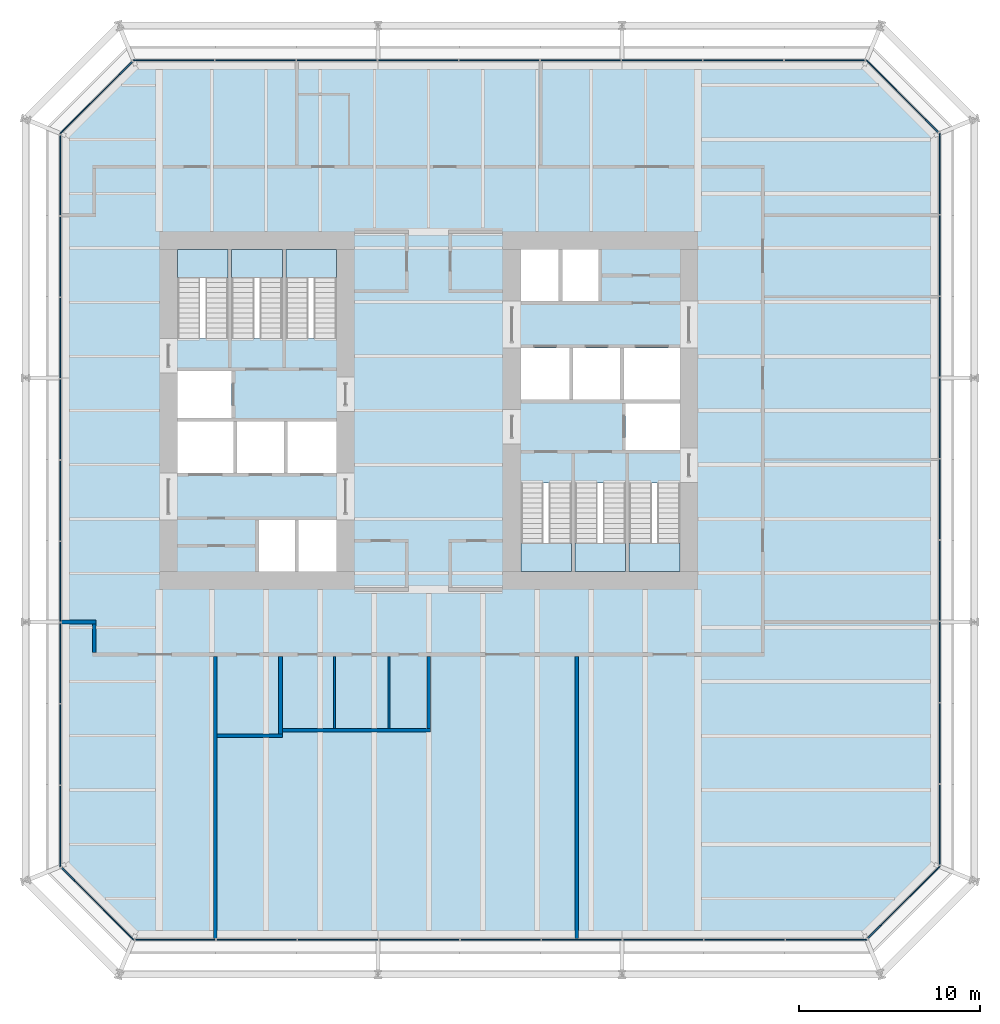
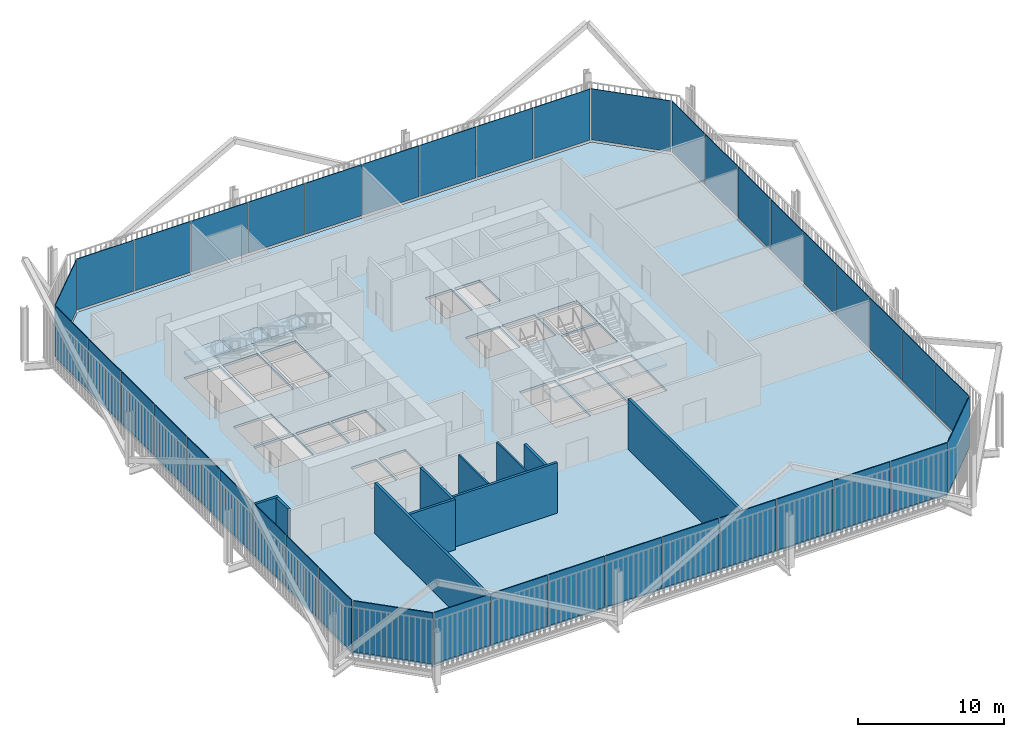
# One storey, part 16 of 21: 40 plates, 10 walls, 7 slabs, 14 elements without a shape of their own.
"""IFC4 building model written with IfcOpenShell, lengths in metres."""

from ifc_helpers import new_model, si_unit, direction, frame, frame_2d, origin, place, context, subcontext, project, spatial, polyline, rectangle, outline, extrude, material, layer, layer_set, type_object, element, aggregate, save


model = new_model("IFC4")

# Units and contexts
model_context = context("Model", 3, precision=1e-05, world=origin(), true_north=direction((0.0, 1.0)))
body_context = subcontext(model_context, "Body", "Model", "MODEL_VIEW")
ifc_project = project(units=[si_unit("LENGTHUNIT", "METRE"), si_unit("AREAUNIT", "SQUARE_METRE"), si_unit("VOLUMEUNIT", "CUBIC_METRE"), si_unit("PLANEANGLEUNIT", "RADIAN"), si_unit("MASSUNIT", "GRAM", prefix="KILO")], contexts=[model_context])

# Site, building, storey
site_placement = place(None, origin())
site = spatial("IfcSite", under=ifc_project, at=site_placement, CompositionType="ELEMENT")
building_placement = place(site_placement, origin())
building = spatial("IfcBuilding", under=site, at=building_placement, Name="Millrace Tower", CompositionType="ELEMENT")
storey_placement = place(building_placement, frame((0.0, 0.0, 95.199951171875)))
storey = spatial("IfcBuildingStorey", under=building, at=storey_placement, Name="L21", CompositionType="ELEMENT", Elevation=95.199951171875)

# Curtain wall, plate
ifc_material_1 = material(Name="Aluminium and glass", Category="aluminium")
ifc_layer_1 = layer(ifc_material_1, 0.14990234375)
ifc_layer_set_1 = layer_set([ifc_layer_1], Name="Aluminium and glass")
curtain_wall_type = type_object("IfcCurtainWallType", Name="CW-3 telecom floor curtain wall", PredefinedType="NOTDEFINED", material=ifc_layer_set_1)
placement_1 = place(storey_placement, origin())
curtain_wall_1 = element("IfcCurtainWall", 1, at=placement_1, inside=storey, type_object=curtain_wall_type, Name="Curtain wall B-F01 L21", PredefinedType="NOTDEFINED")
ifc_material_2 = material(Name="Glass", Category="glass")
ifc_layer_2 = layer(ifc_material_2, 0.06005859375)
ifc_layer_set_2 = layer_set([ifc_layer_2], Name="Glass")
plate_type = type_object("IfcPlateType", Name="CW-3 telecom floor curtain wall triple-glazed panel with spandrel", PredefinedType="CURTAIN_PANEL", material=ifc_layer_set_2)
placement_2 = place(storey_placement, frame((0.0, 0.0, 0.150146484375)))
plate_1 = element("IfcPlate", 2, at=placement_2, type_object=plate_type, Name="CW3 panel B-F01.1", PredefinedType="CURTAIN_PANEL", context=body_context, shape_type="SweptSolid", body=[
    extrude(outline(polyline([(-20.328369140625, -25.3203125), (-16.343505859375, -29.304931640625), (-16.318603515625, -29.2451171875), (-20.285888671875, -25.27783203125), (-20.328369140625, -25.3203125)])), origin(), (0.0, 0.0, 1.0), 4.25),
])
aggregate(curtain_wall_1, [plate_1])

# Curtain wall, plates
curtain_wall_2 = element("IfcCurtainWall", 3, at=placement_1, inside=storey, type_object=curtain_wall_type, Name="Curtain wall B-F02 L21", PredefinedType="NOTDEFINED")
plate_2 = element("IfcPlate", 4, at=placement_2, type_object=plate_type, Name="CW3 panel B-F02.1", PredefinedType="CURTAIN_PANEL", context=body_context, shape_type="SweptSolid", body=[
    extrude(outline(polyline([(-16.235107421875, -29.304931640625), (-11.800048828125, -29.304931640625), (-11.800048828125, -29.2451171875), (-16.235107421875, -29.2451171875), (-16.235107421875, -29.304931640625)])), origin(), (0.0, 0.0, 1.0), 4.25),
])
plate_3 = element("IfcPlate", 5, at=placement_2, type_object=plate_type, Name="CW3 panel B-F02.2", PredefinedType="CURTAIN_PANEL", context=body_context, shape_type="SweptSolid", body=[
    extrude(outline(polyline([(-11.735107421875, -29.304931640625), (-7.300048828125, -29.304931640625), (-7.300048828125, -29.2451171875), (-11.735107421875, -29.2451171875), (-11.735107421875, -29.304931640625)])), origin(), (0.0, 0.0, 1.0), 4.25),
])
plate_4 = element("IfcPlate", 6, at=placement_2, type_object=plate_type, Name="CW3 panel B-F02.3", PredefinedType="CURTAIN_PANEL", context=body_context, shape_type="SweptSolid", body=[
    extrude(outline(polyline([(-7.235107421875, -29.304931640625), (-2.800048828125, -29.304931640625), (-2.800048828125, -29.2451171875), (-7.235107421875, -29.2451171875), (-7.235107421875, -29.304931640625)])), origin(), (0.0, 0.0, 1.0), 4.25),
])
plate_5 = element("IfcPlate", 7, at=placement_2, type_object=plate_type, Name="CW3 panel B-F02.4", PredefinedType="CURTAIN_PANEL", context=body_context, shape_type="SweptSolid", body=[
    extrude(outline(polyline([(-2.735107421875, -29.304931640625), (1.699951171875, -29.304931640625), (1.699951171875, -29.2451171875), (-2.735107421875, -29.2451171875), (-2.735107421875, -29.304931640625)])), origin(), (0.0, 0.0, 1.0), 4.25),
])
plate_6 = element("IfcPlate", 8, at=placement_2, type_object=plate_type, Name="CW3 panel B-F02.5", PredefinedType="CURTAIN_PANEL", context=body_context, shape_type="SweptSolid", body=[
    extrude(outline(polyline([(1.764892578125, -29.304931640625), (6.199951171875, -29.304931640625), (6.199951171875, -29.2451171875), (1.764892578125, -29.2451171875), (1.764892578125, -29.304931640625)])), origin(), (0.0, 0.0, 1.0), 4.25),
])
plate_7 = element("IfcPlate", 9, at=placement_2, type_object=plate_type, Name="CW3 panel B-F02.6", PredefinedType="CURTAIN_PANEL", context=body_context, shape_type="SweptSolid", body=[
    extrude(outline(polyline([(6.264892578125, -29.304931640625), (10.699951171875, -29.304931640625), (10.699951171875, -29.2451171875), (6.264892578125, -29.2451171875), (6.264892578125, -29.304931640625)])), origin(), (0.0, 0.0, 1.0), 4.25),
])
plate_8 = element("IfcPlate", 10, at=placement_2, type_object=plate_type, Name="CW3 panel B-F02.7", PredefinedType="CURTAIN_PANEL", context=body_context, shape_type="SweptSolid", body=[
    extrude(outline(polyline([(10.764892578125, -29.304931640625), (15.199951171875, -29.304931640625), (15.199951171875, -29.2451171875), (10.764892578125, -29.2451171875), (10.764892578125, -29.304931640625)])), origin(), (0.0, 0.0, 1.0), 4.25),
])
plate_9 = element("IfcPlate", 11, at=placement_2, type_object=plate_type, Name="CW3 panel B-F02.8", PredefinedType="CURTAIN_PANEL", context=body_context, shape_type="SweptSolid", body=[
    extrude(outline(polyline([(15.264892578125, -29.304931640625), (19.699951171875, -29.304931640625), (19.699951171875, -29.2451171875), (15.264892578125, -29.2451171875), (15.264892578125, -29.304931640625)])), origin(), (0.0, 0.0, 1.0), 4.25),
])
plate_10 = element("IfcPlate", 12, at=placement_2, type_object=plate_type, Name="CW3 panel B-F02.9", PredefinedType="CURTAIN_PANEL", context=body_context, shape_type="SweptSolid", body=[
    extrude(outline(polyline([(19.764892578125, -29.304931640625), (24.243408203125, -29.304931640625), (24.21875, -29.2451171875), (19.764892578125, -29.2451171875), (19.764892578125, -29.304931640625)])), origin(), (0.0, 0.0, 1.0), 4.25),
])
aggregate(curtain_wall_2, [plate_2, plate_3, plate_4, plate_5, plate_6, plate_7, plate_8, plate_9, plate_10])

# Curtain wall, plate
curtain_wall_3 = element("IfcCurtainWall", 13, at=placement_1, inside=storey, type_object=curtain_wall_type, Name="Curtain wall B-F03 L21", PredefinedType="NOTDEFINED")
plate_11 = element("IfcPlate", 14, at=placement_2, type_object=plate_type, Name="CW3 panel B-F03.1", PredefinedType="CURTAIN_PANEL", context=body_context, shape_type="SweptSolid", body=[
    extrude(outline(polyline([(24.3203125, -29.228271484375), (28.304931640625, -25.243408203125), (28.2451171875, -25.21875), (24.27783203125, -29.185791015625), (24.3203125, -29.228271484375)])), origin(), (0.0, 0.0, 1.0), 4.25),
])
aggregate(curtain_wall_3, [plate_11])

# Curtain wall, plates
curtain_wall_4 = element("IfcCurtainWall", 15, at=placement_1, inside=storey, type_object=curtain_wall_type, Name="Curtain wall B-F04 L21", PredefinedType="NOTDEFINED")
plate_12 = element("IfcPlate", 16, at=placement_2, type_object=plate_type, Name="CW3 panel B-F04.1", PredefinedType="CURTAIN_PANEL", context=body_context, shape_type="SweptSolid", body=[
    extrude(outline(polyline([(28.304931640625, -25.135009765625), (28.304931640625, -20.699951171875), (28.2451171875, -20.699951171875), (28.2451171875, -25.135009765625), (28.304931640625, -25.135009765625)])), origin(), (0.0, 0.0, 1.0), 4.25),
])
plate_13 = element("IfcPlate", 17, at=placement_2, type_object=plate_type, Name="CW3 panel B-F04.2", PredefinedType="CURTAIN_PANEL", context=body_context, shape_type="SweptSolid", body=[
    extrude(outline(polyline([(28.304931640625, -20.635009765625), (28.304931640625, -16.199951171875), (28.2451171875, -16.199951171875), (28.2451171875, -20.635009765625), (28.304931640625, -20.635009765625)])), origin(), (0.0, 0.0, 1.0), 4.25),
])
plate_14 = element("IfcPlate", 18, at=placement_2, type_object=plate_type, Name="CW3 panel B-F04.3", PredefinedType="CURTAIN_PANEL", context=body_context, shape_type="SweptSolid", body=[
    extrude(outline(polyline([(28.304931640625, -16.135009765625), (28.304931640625, -11.699951171875), (28.2451171875, -11.699951171875), (28.2451171875, -16.135009765625), (28.304931640625, -16.135009765625)])), origin(), (0.0, 0.0, 1.0), 4.25),
])
plate_15 = element("IfcPlate", 19, at=placement_2, type_object=plate_type, Name="CW3 panel B-F04.4", PredefinedType="CURTAIN_PANEL", context=body_context, shape_type="SweptSolid", body=[
    extrude(outline(polyline([(28.304931640625, -11.635009765625), (28.304931640625, -7.199951171875), (28.2451171875, -7.199951171875), (28.2451171875, -11.635009765625), (28.304931640625, -11.635009765625)])), origin(), (0.0, 0.0, 1.0), 4.25),
])
plate_16 = element("IfcPlate", 20, at=placement_2, type_object=plate_type, Name="CW3 panel B-F04.5", PredefinedType="CURTAIN_PANEL", context=body_context, shape_type="SweptSolid", body=[
    extrude(outline(polyline([(28.304931640625, -7.135009765625), (28.304931640625, -2.699951171875), (28.2451171875, -2.699951171875), (28.2451171875, -7.135009765625), (28.304931640625, -7.135009765625)])), origin(), (0.0, 0.0, 1.0), 4.25),
])
plate_17 = element("IfcPlate", 21, at=placement_2, type_object=plate_type, Name="CW3 panel B-F04.6", PredefinedType="CURTAIN_PANEL", context=body_context, shape_type="SweptSolid", body=[
    extrude(outline(polyline([(28.304931640625, -2.635009765625), (28.304931640625, 1.800048828125), (28.2451171875, 1.800048828125), (28.2451171875, -2.635009765625), (28.304931640625, -2.635009765625)])), origin(), (0.0, 0.0, 1.0), 4.25),
])
plate_18 = element("IfcPlate", 22, at=placement_2, type_object=plate_type, Name="CW3 panel B-F04.7", PredefinedType="CURTAIN_PANEL", context=body_context, shape_type="SweptSolid", body=[
    extrude(outline(polyline([(28.304931640625, 1.864990234375), (28.304931640625, 6.300048828125), (28.2451171875, 6.300048828125), (28.2451171875, 1.864990234375), (28.304931640625, 1.864990234375)])), origin(), (0.0, 0.0, 1.0), 4.25),
])
plate_19 = element("IfcPlate", 23, at=placement_2, type_object=plate_type, Name="CW3 panel B-F04.8", PredefinedType="CURTAIN_PANEL", context=body_context, shape_type="SweptSolid", body=[
    extrude(outline(polyline([(28.304931640625, 6.364990234375), (28.304931640625, 10.800048828125), (28.2451171875, 10.800048828125), (28.2451171875, 6.364990234375), (28.304931640625, 6.364990234375)])), origin(), (0.0, 0.0, 1.0), 4.25),
])
plate_20 = element("IfcPlate", 24, at=placement_2, type_object=plate_type, Name="CW3 panel B-F04.9", PredefinedType="CURTAIN_PANEL", context=body_context, shape_type="SweptSolid", body=[
    extrude(outline(polyline([(28.304931640625, 10.864990234375), (28.304931640625, 15.343505859375), (28.2451171875, 15.318603515625), (28.2451171875, 10.864990234375), (28.304931640625, 10.864990234375)])), origin(), (0.0, 0.0, 1.0), 4.25),
])
aggregate(curtain_wall_4, [plate_12, plate_13, plate_14, plate_15, plate_16, plate_17, plate_18, plate_19, plate_20])

# Curtain wall, plate
curtain_wall_5 = element("IfcCurtainWall", 25, at=placement_1, inside=storey, type_object=curtain_wall_type, Name="Curtain wall B-F05 L21", PredefinedType="NOTDEFINED")
plate_21 = element("IfcPlate", 26, at=placement_2, type_object=plate_type, Name="CW3 panel B-F05.1", PredefinedType="CURTAIN_PANEL", context=body_context, shape_type="SweptSolid", body=[
    extrude(outline(polyline([(28.228271484375, 15.420166015625), (24.243408203125, 19.405029296875), (24.21875, 19.344970703125), (28.185791015625, 15.377685546875), (28.228271484375, 15.420166015625)])), origin(), (0.0, 0.0, 1.0), 4.25),
])
aggregate(curtain_wall_5, [plate_21])

# Curtain wall, plates
curtain_wall_6 = element("IfcCurtainWall", 27, at=placement_1, inside=storey, type_object=curtain_wall_type, Name="Curtain wall B-F06 L21", PredefinedType="NOTDEFINED")
plate_22 = element("IfcPlate", 28, at=placement_2, type_object=plate_type, Name="CW3 panel B-F06.1", PredefinedType="CURTAIN_PANEL", context=body_context, shape_type="SweptSolid", body=[
    extrude(outline(polyline([(24.135009765625, 19.405029296875), (19.699951171875, 19.405029296875), (19.699951171875, 19.344970703125), (24.135009765625, 19.344970703125), (24.135009765625, 19.405029296875)])), origin(), (0.0, 0.0, 1.0), 4.25),
])
plate_23 = element("IfcPlate", 29, at=placement_2, type_object=plate_type, Name="CW3 panel B-F06.2", PredefinedType="CURTAIN_PANEL", context=body_context, shape_type="SweptSolid", body=[
    extrude(outline(polyline([(19.635009765625, 19.405029296875), (15.199951171875, 19.405029296875), (15.199951171875, 19.344970703125), (19.635009765625, 19.344970703125), (19.635009765625, 19.405029296875)])), origin(), (0.0, 0.0, 1.0), 4.25),
])
plate_24 = element("IfcPlate", 30, at=placement_2, type_object=plate_type, Name="CW3 panel B-F06.3", PredefinedType="CURTAIN_PANEL", context=body_context, shape_type="SweptSolid", body=[
    extrude(outline(polyline([(15.135009765625, 19.405029296875), (10.699951171875, 19.405029296875), (10.699951171875, 19.344970703125), (15.135009765625, 19.344970703125), (15.135009765625, 19.405029296875)])), origin(), (0.0, 0.0, 1.0), 4.25),
])
plate_25 = element("IfcPlate", 31, at=placement_2, type_object=plate_type, Name="CW3 panel B-F06.4", PredefinedType="CURTAIN_PANEL", context=body_context, shape_type="SweptSolid", body=[
    extrude(outline(polyline([(10.635009765625, 19.405029296875), (6.199951171875, 19.405029296875), (6.199951171875, 19.344970703125), (10.635009765625, 19.344970703125), (10.635009765625, 19.405029296875)])), origin(), (0.0, 0.0, 1.0), 4.25),
])
plate_26 = element("IfcPlate", 32, at=placement_2, type_object=plate_type, Name="CW3 panel B-F06.5", PredefinedType="CURTAIN_PANEL", context=body_context, shape_type="SweptSolid", body=[
    extrude(outline(polyline([(6.135009765625, 19.405029296875), (1.699951171875, 19.405029296875), (1.699951171875, 19.344970703125), (6.135009765625, 19.344970703125), (6.135009765625, 19.405029296875)])), origin(), (0.0, 0.0, 1.0), 4.25),
])
plate_27 = element("IfcPlate", 33, at=placement_2, type_object=plate_type, Name="CW3 panel B-F06.6", PredefinedType="CURTAIN_PANEL", context=body_context, shape_type="SweptSolid", body=[
    extrude(outline(polyline([(1.635009765625, 19.405029296875), (-2.800048828125, 19.405029296875), (-2.800048828125, 19.344970703125), (1.635009765625, 19.344970703125), (1.635009765625, 19.405029296875)])), origin(), (0.0, 0.0, 1.0), 4.25),
])
plate_28 = element("IfcPlate", 34, at=placement_2, type_object=plate_type, Name="CW3 panel B-F06.7", PredefinedType="CURTAIN_PANEL", context=body_context, shape_type="SweptSolid", body=[
    extrude(outline(polyline([(-2.864990234375, 19.405029296875), (-7.300048828125, 19.405029296875), (-7.300048828125, 19.344970703125), (-2.864990234375, 19.344970703125), (-2.864990234375, 19.405029296875)])), origin(), (0.0, 0.0, 1.0), 4.25),
])
plate_29 = element("IfcPlate", 35, at=placement_2, type_object=plate_type, Name="CW3 panel B-F06.8", PredefinedType="CURTAIN_PANEL", context=body_context, shape_type="SweptSolid", body=[
    extrude(outline(polyline([(-7.364990234375, 19.405029296875), (-11.800048828125, 19.405029296875), (-11.800048828125, 19.344970703125), (-7.364990234375, 19.344970703125), (-7.364990234375, 19.405029296875)])), origin(), (0.0, 0.0, 1.0), 4.25),
])
plate_30 = element("IfcPlate", 36, at=placement_2, type_object=plate_type, Name="CW3 panel B-F06.9", PredefinedType="CURTAIN_PANEL", context=body_context, shape_type="SweptSolid", body=[
    extrude(outline(polyline([(-11.864990234375, 19.405029296875), (-16.343505859375, 19.405029296875), (-16.318603515625, 19.344970703125), (-11.864990234375, 19.344970703125), (-11.864990234375, 19.405029296875)])), origin(), (0.0, 0.0, 1.0), 4.25),
])
aggregate(curtain_wall_6, [plate_22, plate_23, plate_24, plate_25, plate_26, plate_27, plate_28, plate_29, plate_30])

# Curtain wall, plate
curtain_wall_7 = element("IfcCurtainWall", 37, at=placement_1, inside=storey, type_object=curtain_wall_type, Name="Curtain wall B-F07 L21", PredefinedType="NOTDEFINED")
plate_31 = element("IfcPlate", 38, at=placement_2, type_object=plate_type, Name="CW3 panel B-F07.1", PredefinedType="CURTAIN_PANEL", context=body_context, shape_type="SweptSolid", body=[
    extrude(outline(polyline([(-16.420166015625, 19.328369140625), (-20.405029296875, 15.343505859375), (-20.344970703125, 15.318603515625), (-16.377685546875, 19.285888671875), (-16.420166015625, 19.328369140625)])), origin(), (0.0, 0.0, 1.0), 4.25),
])
aggregate(curtain_wall_7, [plate_31])

# Curtain wall, plates
curtain_wall_8 = element("IfcCurtainWall", 39, at=placement_1, inside=storey, type_object=curtain_wall_type, Name="Curtain wall B-F08 L21", PredefinedType="NOTDEFINED")
plate_32 = element("IfcPlate", 40, at=placement_2, type_object=plate_type, Name="CW3 panel B-F08.1", PredefinedType="CURTAIN_PANEL", context=body_context, shape_type="SweptSolid", body=[
    extrude(outline(polyline([(-20.405029296875, 15.235107421875), (-20.405029296875, 10.800048828125), (-20.344970703125, 10.800048828125), (-20.344970703125, 15.235107421875), (-20.405029296875, 15.235107421875)])), origin(), (0.0, 0.0, 1.0), 4.25),
])
plate_33 = element("IfcPlate", 41, at=placement_2, type_object=plate_type, Name="CW3 panel B-F08.2", PredefinedType="CURTAIN_PANEL", context=body_context, shape_type="SweptSolid", body=[
    extrude(outline(polyline([(-20.405029296875, 10.735107421875), (-20.405029296875, 6.300048828125), (-20.344970703125, 6.300048828125), (-20.344970703125, 10.735107421875), (-20.405029296875, 10.735107421875)])), origin(), (0.0, 0.0, 1.0), 4.25),
])
plate_34 = element("IfcPlate", 42, at=placement_2, type_object=plate_type, Name="CW3 panel B-F08.3", PredefinedType="CURTAIN_PANEL", context=body_context, shape_type="SweptSolid", body=[
    extrude(outline(polyline([(-20.405029296875, 6.235107421875), (-20.405029296875, 1.800048828125), (-20.344970703125, 1.800048828125), (-20.344970703125, 6.235107421875), (-20.405029296875, 6.235107421875)])), origin(), (0.0, 0.0, 1.0), 4.25),
])
plate_35 = element("IfcPlate", 43, at=placement_2, type_object=plate_type, Name="CW3 panel B-F08.4", PredefinedType="CURTAIN_PANEL", context=body_context, shape_type="SweptSolid", body=[
    extrude(outline(polyline([(-20.405029296875, 1.735107421875), (-20.405029296875, -2.699951171875), (-20.344970703125, -2.699951171875), (-20.344970703125, 1.735107421875), (-20.405029296875, 1.735107421875)])), origin(), (0.0, 0.0, 1.0), 4.25),
])
plate_36 = element("IfcPlate", 44, at=placement_2, type_object=plate_type, Name="CW3 panel B-F08.5", PredefinedType="CURTAIN_PANEL", context=body_context, shape_type="SweptSolid", body=[
    extrude(outline(polyline([(-20.405029296875, -2.764892578125), (-20.405029296875, -7.199951171875), (-20.344970703125, -7.199951171875), (-20.344970703125, -2.764892578125), (-20.405029296875, -2.764892578125)])), origin(), (0.0, 0.0, 1.0), 4.25),
])
plate_37 = element("IfcPlate", 45, at=placement_2, type_object=plate_type, Name="CW3 panel B-F08.6", PredefinedType="CURTAIN_PANEL", context=body_context, shape_type="SweptSolid", body=[
    extrude(outline(polyline([(-20.405029296875, -7.264892578125), (-20.405029296875, -11.699951171875), (-20.344970703125, -11.699951171875), (-20.344970703125, -7.264892578125), (-20.405029296875, -7.264892578125)])), origin(), (0.0, 0.0, 1.0), 4.25),
])
plate_38 = element("IfcPlate", 46, at=placement_2, type_object=plate_type, Name="CW3 panel B-F08.7", PredefinedType="CURTAIN_PANEL", context=body_context, shape_type="SweptSolid", body=[
    extrude(outline(polyline([(-20.405029296875, -11.764892578125), (-20.405029296875, -16.199951171875), (-20.344970703125, -16.199951171875), (-20.344970703125, -11.764892578125), (-20.405029296875, -11.764892578125)])), origin(), (0.0, 0.0, 1.0), 4.25),
])
plate_39 = element("IfcPlate", 47, at=placement_2, type_object=plate_type, Name="CW3 panel B-F08.8", PredefinedType="CURTAIN_PANEL", context=body_context, shape_type="SweptSolid", body=[
    extrude(outline(polyline([(-20.405029296875, -16.264892578125), (-20.405029296875, -20.699951171875), (-20.344970703125, -20.699951171875), (-20.344970703125, -16.264892578125), (-20.405029296875, -16.264892578125)])), origin(), (0.0, 0.0, 1.0), 4.25),
])
plate_40 = element("IfcPlate", 48, at=placement_2, type_object=plate_type, Name="CW3 panel B-F08.9", PredefinedType="CURTAIN_PANEL", context=body_context, shape_type="SweptSolid", body=[
    extrude(outline(polyline([(-20.405029296875, -20.764892578125), (-20.405029296875, -25.243408203125), (-20.344970703125, -25.21875), (-20.344970703125, -20.764892578125), (-20.405029296875, -20.764892578125)])), origin(), (0.0, 0.0, 1.0), 4.25),
])
aggregate(curtain_wall_8, [plate_32, plate_33, plate_34, plate_35, plate_36, plate_37, plate_38, plate_39, plate_40])

# Slab
ifc_material_3 = material(Name="Concrete C35 on steel deck", Category="concrete")
ifc_layer_3 = layer(ifc_material_3, 0.199951171875)
ifc_layer_set_3 = layer_set([ifc_layer_3], Name="Concrete C35 on steel deck")
slab_type_1 = type_object("IfcSlabType", Name="Composite floor slab 200 mm", PredefinedType="FLOOR", material=ifc_layer_set_3)
slab_1_placement = place(storey_placement, frame((0.0, 0.0, -0.199951171875)))
element("IfcSlab", 49, at=slab_1_placement, inside=storey, type_object=slab_type_1, Name="SL-B-L21-S1", PredefinedType="FLOOR", context=body_context, shape_type="SweptSolid", body=[
    extrude(outline(polyline([(-20.300048828125, -25.199951171875), (-16.300048828125, -29.199951171875), (24.199951171875, -29.199951171875), (28.199951171875, -25.199951171875), (28.199951171875, 15.300048828125), (24.199951171875, 19.300048828125), (-16.300048828125, 19.300048828125), (-20.300048828125, 15.300048828125), (-20.300048828125, -25.199951171875)]), holes=[polyline([(-9.39990234375, -8.89990234375), (-7.39990234375, -8.89990234375), (-7.39990234375, -6.050048828125), (-9.39990234375, -6.050048828125), (-9.39990234375, -8.89990234375)]), polyline([(-7.199951171875, -8.89990234375), (-5.10009765625, -8.89990234375), (-5.10009765625, -6.050048828125), (-7.199951171875, -6.050048828125), (-7.199951171875, -8.89990234375)]), polyline([(-13.89990234375, -3.449951171875), (-10.800048828125, -3.449951171875), (-10.800048828125, -0.60009765625), (-13.89990234375, -0.60009765625), (-13.89990234375, -3.449951171875)]), polyline([(-10.60009765625, -3.449951171875), (-8.0, -3.449951171875), (-8.0, -0.60009765625), (-10.60009765625, -0.60009765625), (-10.60009765625, -3.449951171875)]), polyline([(-7.800048828125, -3.449951171875), (-5.10009765625, -3.449951171875), (-5.10009765625, -0.60009765625), (-7.800048828125, -0.60009765625), (-7.800048828125, -3.449951171875)]), polyline([(-13.89990234375, -0.39990234375), (-10.89990234375, -0.39990234375), (-10.89990234375, 2.179931640625), (-13.89990234375, 2.179931640625), (-13.89990234375, -0.39990234375)]), polyline([(-13.89990234375, 4.0), (-11.10009765625, 4.0), (-11.10009765625, 8.89990234375), (-13.89990234375, 8.89990234375), (-13.89990234375, 4.0)]), polyline([(-10.89990234375, 4.0), (-8.10009765625, 4.0), (-8.10009765625, 8.89990234375), (-10.89990234375, 8.89990234375), (-10.89990234375, 4.0)]), polyline([(-7.89990234375, 4.0), (-5.10009765625, 4.0), (-5.10009765625, 8.89990234375), (-7.89990234375, 8.89990234375), (-7.89990234375, 4.0)]), polyline([(7.39990234375, 6.050048828125), (9.39990234375, 6.050048828125), (9.39990234375, 8.89990234375), (7.39990234375, 8.89990234375), (7.39990234375, 6.050048828125)]), polyline([(5.10009765625, 6.050048828125), (7.199951171875, 6.050048828125), (7.199951171875, 8.89990234375), (5.10009765625, 8.89990234375), (5.10009765625, 6.050048828125)]), polyline([(10.800048828125, 0.60009765625), (13.89990234375, 0.60009765625), (13.89990234375, 3.449951171875), (10.800048828125, 3.449951171875), (10.800048828125, 0.60009765625)]), polyline([(8.0, 0.60009765625), (10.60009765625, 0.60009765625), (10.60009765625, 3.449951171875), (8.0, 3.449951171875), (8.0, 0.60009765625)]), polyline([(5.10009765625, 0.60009765625), (7.800048828125, 0.60009765625), (7.800048828125, 3.449951171875), (5.10009765625, 3.449951171875), (5.10009765625, 0.60009765625)]), polyline([(10.89990234375, -2.179931640625), (13.89990234375, -2.179931640625), (13.89990234375, 0.39990234375), (10.89990234375, 0.39990234375), (10.89990234375, -2.179931640625)]), polyline([(11.10009765625, -8.89990234375), (13.89990234375, -8.89990234375), (13.89990234375, -4.0), (11.10009765625, -4.0), (11.10009765625, -8.89990234375)]), polyline([(8.10009765625, -8.89990234375), (10.89990234375, -8.89990234375), (10.89990234375, -4.0), (8.10009765625, -4.0), (8.10009765625, -8.89990234375)]), polyline([(5.10009765625, -8.89990234375), (7.89990234375, -8.89990234375), (7.89990234375, -4.0), (5.10009765625, -4.0), (5.10009765625, -8.89990234375)])]), origin(), (0.0, 0.0, 1.0), 0.199951171875),
])

# Stair, slab
ifc_material_4 = material(Name="Concrete C35", Category="concrete")
stair_type = type_object("IfcStairType", Name="Exit stair", PredefinedType="HALF_TURN_STAIR", material=ifc_material_4)
stair_1 = element("IfcStair", 50, at=placement_1, inside=storey, type_object=stair_type, Name="Stair 1 W L21", PredefinedType="HALF_TURN_STAIR")
ifc_material_5 = material(Name="Concrete C40", Category="concrete")
ifc_layer_4 = layer(ifc_material_5, 0.199951171875)
ifc_layer_set_4 = layer_set([ifc_layer_4], Name="Concrete C40")
slab_type_2 = type_object("IfcSlabType", Name="Stair landing", PredefinedType="LANDING", material=ifc_layer_set_4)
placement_3 = place(storey_placement, frame((0.0, 0.0, 2.0)))
slab_2 = element("IfcSlab", 51, at=placement_3, type_object=slab_type_2, Name="ST12 landing 1", PredefinedType="LANDING", context=body_context, shape_type="SweptSolid", body=[
    extrude(outline(polyline([(-13.89990234375, 7.360107421875), (-11.10009765625, 7.360107421875), (-11.10009765625, 8.89990234375), (-13.89990234375, 8.89990234375), (-13.89990234375, 7.360107421875)])), origin(), (0.0, 0.0, 1.0), 0.199951171875),
])
aggregate(stair_1, [slab_2])

stair_2 = element("IfcStair", 52, at=placement_1, inside=storey, type_object=stair_type, Name="Stair 2 W L21", PredefinedType="HALF_TURN_STAIR")
slab_3 = element("IfcSlab", 53, at=placement_3, type_object=slab_type_2, Name="ST12 landing 1", PredefinedType="LANDING", context=body_context, shape_type="SweptSolid", body=[
    extrude(outline(polyline([(-10.89990234375, 7.360107421875), (-8.10009765625, 7.360107421875), (-8.10009765625, 8.89990234375), (-10.89990234375, 8.89990234375), (-10.89990234375, 7.360107421875)])), origin(), (0.0, 0.0, 1.0), 0.199951171875),
])
aggregate(stair_2, [slab_3])

stair_3 = element("IfcStair", 54, at=placement_1, inside=storey, type_object=stair_type, Name="Stair 3 W L21", PredefinedType="HALF_TURN_STAIR")
slab_4 = element("IfcSlab", 55, at=placement_3, type_object=slab_type_2, Name="ST12 landing 1", PredefinedType="LANDING", context=body_context, shape_type="SweptSolid", body=[
    extrude(outline(polyline([(-7.89990234375, 7.360107421875), (-5.10009765625, 7.360107421875), (-5.10009765625, 8.89990234375), (-7.89990234375, 8.89990234375), (-7.89990234375, 7.360107421875)])), origin(), (0.0, 0.0, 1.0), 0.199951171875),
])
aggregate(stair_3, [slab_4])

stair_4 = element("IfcStair", 56, at=placement_1, inside=storey, type_object=stair_type, Name="Stair 1 E L21", PredefinedType="HALF_TURN_STAIR")
slab_5 = element("IfcSlab", 57, at=placement_3, type_object=slab_type_2, Name="ST12 landing 1", PredefinedType="LANDING", context=body_context, shape_type="SweptSolid", body=[
    extrude(outline(polyline([(11.10009765625, -8.89990234375), (13.89990234375, -8.89990234375), (13.89990234375, -7.360107421875), (11.10009765625, -7.360107421875), (11.10009765625, -8.89990234375)])), origin(), (0.0, 0.0, 1.0), 0.199951171875),
])
aggregate(stair_4, [slab_5])

stair_5 = element("IfcStair", 58, at=placement_1, inside=storey, type_object=stair_type, Name="Stair 2 E L21", PredefinedType="HALF_TURN_STAIR")
slab_6 = element("IfcSlab", 59, at=placement_3, type_object=slab_type_2, Name="ST12 landing 1", PredefinedType="LANDING", context=body_context, shape_type="SweptSolid", body=[
    extrude(outline(polyline([(8.10009765625, -8.89990234375), (10.89990234375, -8.89990234375), (10.89990234375, -7.360107421875), (8.10009765625, -7.360107421875), (8.10009765625, -8.89990234375)])), origin(), (0.0, 0.0, 1.0), 0.199951171875),
])
aggregate(stair_5, [slab_6])

stair_6 = element("IfcStair", 60, at=placement_1, inside=storey, type_object=stair_type, Name="Stair 3 E L21", PredefinedType="HALF_TURN_STAIR")
slab_7 = element("IfcSlab", 61, at=placement_3, type_object=slab_type_2, Name="ST12 landing 1", PredefinedType="LANDING", context=body_context, shape_type="SweptSolid", body=[
    extrude(outline(polyline([(5.10009765625, -8.89990234375), (7.89990234375, -8.89990234375), (7.89990234375, -7.360107421875), (5.10009765625, -7.360107421875), (5.10009765625, -8.89990234375)])), origin(), (0.0, 0.0, 1.0), 0.199951171875),
])
aggregate(stair_6, [slab_7])

# Walls
ifc_material_6 = material(Name="Masonry partition, fire-rated", Category="masonry")
ifc_layer_5 = layer(ifc_material_6, 0.199951171875)
ifc_layer_set_5 = layer_set([ifc_layer_5], Name="Masonry partition, fire-rated")
wall_type_1 = type_object("IfcWallType", Name="Corridor wall 200", PredefinedType="PARTITIONING", material=ifc_layer_set_5)
wall_1_placement = place(storey_placement, frame((-11.699951171875, -18.0, 0.0), z_axis=(0.0, 0.0, 1.0), x_axis=(1.0, 0.0, 0.0)))
element("IfcWall", 62, at=wall_1_placement, inside=storey, type_object=wall_type_1, Name="Corridor wall L21", PredefinedType="PARTITIONING", context=body_context, shape_type="SweptSolid", body=[
    extrude(rectangle(XDim=3.599853515625, YDim=0.199951171875, at=frame_2d((1.7998046875, 0.0))), origin(), (0.0, 0.0, 1.0), 4.199951171875),
])
wall_2_placement = place(storey_placement, frame((-8.10009765625, -17.699951171875, 0.0), z_axis=(0.0, 0.0, 1.0), x_axis=(1.0, 0.0, 0.0)))
element("IfcWall", 63, at=wall_2_placement, inside=storey, type_object=wall_type_1, Name="Corridor wall L21", PredefinedType="PARTITIONING", context=body_context, shape_type="SweptSolid", body=[
    extrude(rectangle(XDim=8.2001953125, YDim=0.199951171875, at=frame_2d((4.10009765625, 0.0))), origin(), (0.0, 0.0, 1.0), 4.199951171875),
])
wall_3_placement = place(storey_placement, frame((-20.330078125, -11.699951171875, 0.0), z_axis=(0.0, 0.0, 1.0), x_axis=(1.0, 0.0, 0.0)))
element("IfcWall", 64, at=wall_3_placement, inside=storey, type_object=wall_type_1, Name="Corridor wall L21", PredefinedType="PARTITIONING", context=body_context, shape_type="SweptSolid", body=[
    extrude(rectangle(XDim=1.93017578125, YDim=0.199951171875, at=frame_2d((0.965087890625, 0.0))), origin(), (0.0, 0.0, 1.0), 4.199951171875),
])
wall_4_placement = place(storey_placement, frame((8.18994140625, -29.22998046875, 0.0), z_axis=(0.0, 0.0, 1.0), x_axis=(0.0, 1.0, 0.0)))
element("IfcWall", 65, at=wall_4_placement, inside=storey, type_object=wall_type_1, Name="Corridor wall L21", PredefinedType="PARTITIONING", context=body_context, shape_type="SweptSolid", body=[
    extrude(rectangle(XDim=15.6298828125, YDim=0.199951171875, at=frame_2d((7.81494140625, 0.0))), origin(), (0.0, 0.0, 1.0), 4.199951171875),
])
wall_5_placement = place(storey_placement, frame((0.0, -17.60009765625, 0.0), z_axis=(0.0, 0.0, 1.0), x_axis=(0.0, 1.0, 0.0)))
element("IfcWall", 66, at=wall_5_placement, inside=storey, type_object=wall_type_1, Name="Corridor wall L21", PredefinedType="PARTITIONING", context=body_context, shape_type="SweptSolid", body=[
    extrude(rectangle(XDim=4.0, YDim=0.199951171875, at=frame_2d((2.0, 0.0))), origin(), (0.0, 0.0, 1.0), 3.27294921875),
])
wall_6_placement = place(storey_placement, frame((-8.199951171875, -17.89990234375, 0.0), z_axis=(0.0, 0.0, 1.0), x_axis=(0.0, 1.0, 0.0)))
element("IfcWall", 67, at=wall_6_placement, inside=storey, type_object=wall_type_1, Name="Corridor wall L21", PredefinedType="PARTITIONING", context=body_context, shape_type="SweptSolid", body=[
    extrude(rectangle(XDim=4.2998046875, YDim=0.199951171875, at=frame_2d((2.14990234375, 0.0))), origin(), (0.0, 0.0, 1.0), 4.199951171875),
])
wall_7_placement = place(storey_placement, frame((-11.800048828125, -29.22998046875, 0.0), z_axis=(0.0, 0.0, 1.0), x_axis=(0.0, 1.0, 0.0)))
element("IfcWall", 68, at=wall_7_placement, inside=storey, type_object=wall_type_1, Name="Corridor wall L21", PredefinedType="PARTITIONING", context=body_context, shape_type="SweptSolid", body=[
    extrude(rectangle(XDim=15.6298828125, YDim=0.199951171875, at=frame_2d((7.81494140625, 0.0))), origin(), (0.0, 0.0, 1.0), 4.199951171875),
])
wall_8_placement = place(storey_placement, frame((-18.5, -13.39990234375, 0.0), z_axis=(0.0, 0.0, 1.0), x_axis=(0.0, 1.0, 0.0)))
element("IfcWall", 69, at=wall_8_placement, inside=storey, type_object=wall_type_1, Name="Corridor wall L21", PredefinedType="PARTITIONING", context=body_context, shape_type="SweptSolid", body=[
    extrude(rectangle(XDim=1.599853515625, YDim=0.199951171875, at=frame_2d((0.7998046875, 0.0))), origin(), (0.0, 0.0, 1.0), 4.199951171875),
])
ifc_material_7 = material(Name="Gypsum board partition")
ifc_layer_6 = layer(ifc_material_7, 0.1201171875)
ifc_layer_set_6 = layer_set([ifc_layer_6], Name="Gypsum board partition")
wall_type_2 = type_object("IfcWallType", Name="Partition wall 120", PredefinedType="PARTITIONING", material=ifc_layer_set_6)
for number, where, z_axis, x_axis, name in (
    (70, (-2.199951171875, -17.60009765625, 0.0), (0.0, 0.0, 1.0), (0.0, 1.0, 0.0), "Partition wall L21"),
    (71, (-5.199951171875, -17.60009765625, 0.0), (0.0, 0.0, 1.0), (0.0, 1.0, 0.0), "Partition wall L21"),
):
    element("IfcWall", number, at=place(storey_placement, frame(where, z_axis=z_axis, x_axis=x_axis)), inside=storey, type_object=wall_type_2, Name=name, PredefinedType="PARTITIONING", context=body_context, shape_type="SweptSolid", body=[
        extrude(rectangle(XDim=4.0, YDim=0.1201171875, at=frame_2d((2.0, 0.0))), origin(), (0.0, 0.0, 1.0), 4.199951171875),
    ])

save(model, "model.ifc")
